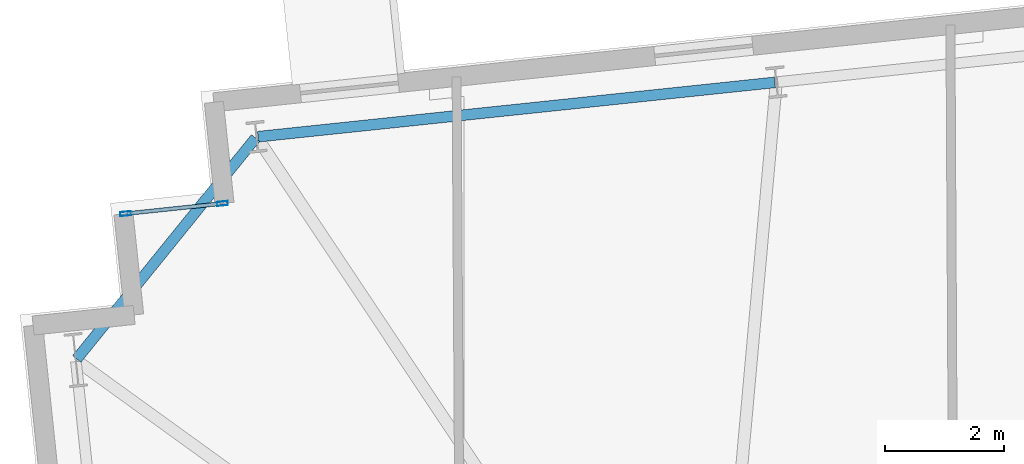
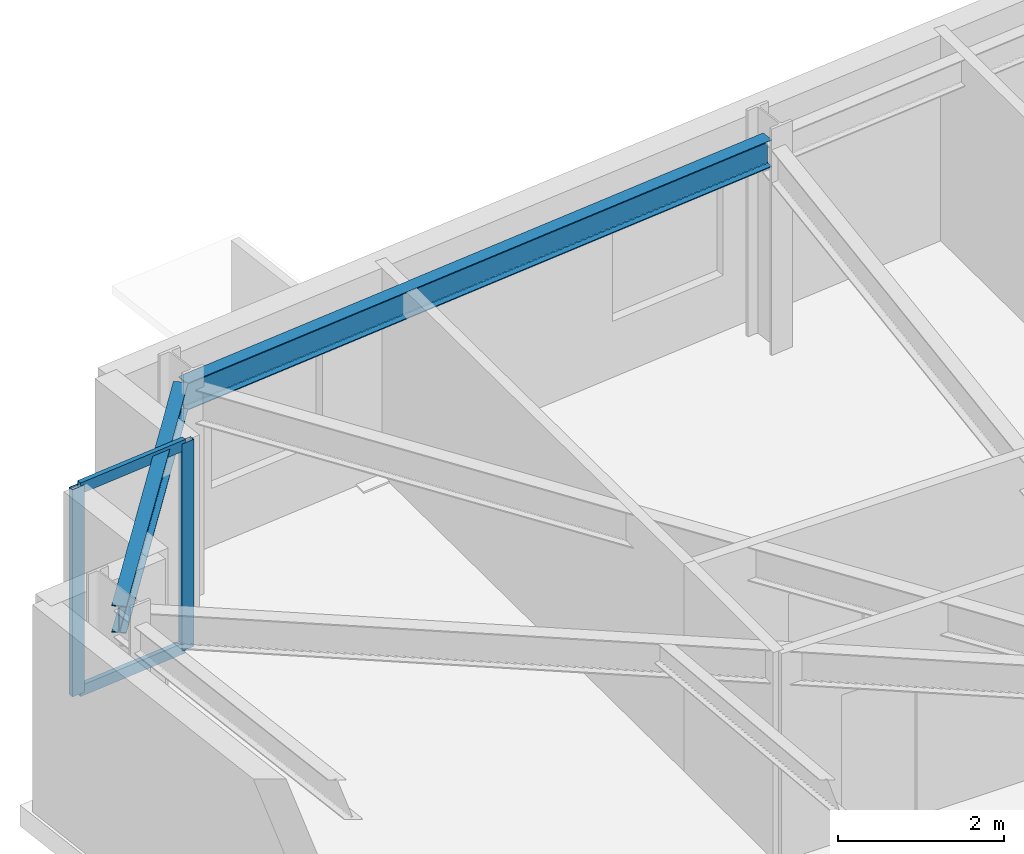
# One storey, part 8 of 19: 4 members, 2 beams, 1 element without a shape of its own.
"""IFC4 building model written with IfcOpenShell, lengths in metres."""

from ifc_helpers import new_model, si_unit, direction, frame, origin, origin_2d, place, context, subcontext, project, spatial, hollow_rectangle, i_section, extrude, material, layer, layer_set, material_profile, profile_set, type_object, element, aggregate, save


model = new_model("IFC4")

# Units and contexts
model_context = context("Model", 3, precision=1e-05, world=origin(), true_north=direction((0.0, 1.0)))
body_context = subcontext(model_context, "Body", "Model", "MODEL_VIEW")
ifc_project = project(units=[si_unit("LENGTHUNIT", "METRE"), si_unit("AREAUNIT", "SQUARE_METRE"), si_unit("VOLUMEUNIT", "CUBIC_METRE"), si_unit("PLANEANGLEUNIT", "RADIAN"), si_unit("MASSUNIT", "GRAM", prefix="KILO")], contexts=[model_context])

# Site, building, storey
site_placement = place(None, origin())
site = spatial("IfcSite", under=ifc_project, at=site_placement, CompositionType="ELEMENT")
building_placement = place(site_placement, origin())
building = spatial("IfcBuilding", under=site, at=building_placement, Name="Qobustan Lattice House", CompositionType="ELEMENT")
storey_placement = place(building_placement, frame((0.0, 0.0, 115.85009765625)))
storey = spatial("IfcBuildingStorey", under=building, at=storey_placement, Name="L32", CompositionType="ELEMENT", Elevation=115.85009765625)

# Beams
ifc_material_1 = material(Name="Steel S355", Category="steel")
ifc_material_profile_1 = material_profile(ifc_material_1, i_section(OverallWidth=0.179931640625, OverallDepth=0.39990234375, WebThickness=0.008544921875, FlangeThickness=0.013427734375, FilletRadius=0.02099609375, at=origin_2d()), Name="IPE400")
ifc_profile_set_1 = profile_set([ifc_material_profile_1], Name="Steel S355")
beam_type = type_object("IfcBeamType", Name="BM-SPD-IPE400", PredefinedType="SPANDREL", material=ifc_profile_set_1)
beam_1_placement = place(storey_placement, frame((-17.7158203125, 17.919189453125, 2.844970703125), z_axis=(-0.994521279781, -0.10453432002, 0.0), x_axis=(0.10453432002, -0.994521279781, 0.0)))
element("IfcBeam", 1, at=beam_1_placement, inside=storey, type_object=beam_type, Name="L32 perimeter spandrel N6-N7", PredefinedType="SPANDREL", context=body_context, shape_type="SweptSolid", body=[
    extrude(i_section(OverallWidth=0.179931640625, OverallDepth=0.39990234375, WebThickness=0.008544921875, FlangeThickness=0.013427734375, FilletRadius=0.02099609375, at=origin_2d()), origin(), (0.0, 0.0, 1.0), 8.69970703125),
])
beam_2_placement = place(storey_placement, frame((-26.40869140625, 16.98779296875, 2.844970703125), z_axis=(-0.629326627121, -0.777140911545, 0.0), x_axis=(0.777140911545, -0.629326627121, 0.0)))
element("IfcBeam", 2, at=beam_2_placement, inside=storey, type_object=beam_type, Name="L32 perimeter spandrel N7-W1", PredefinedType="SPANDREL", context=body_context, shape_type="SweptSolid", body=[
    extrude(i_section(OverallWidth=0.179931640625, OverallDepth=0.39990234375, WebThickness=0.008544921875, FlangeThickness=0.013427734375, FilletRadius=0.02099609375, at=origin_2d()), origin(), (0.0, 0.0, 1.0), 4.758544921875),
])

# Curtain wall, members
ifc_material_2 = material(Name="Anodised aluminium and low-E glazing", Category="aluminium")
ifc_layer = layer(ifc_material_2, 0.219970703125)
ifc_layer_set = layer_set([ifc_layer], Name="Anodised aluminium and low-E glazing")
curtain_wall_type = type_object("IfcCurtainWallType", Name="CW-FAC-01", PredefinedType="USERDEFINED", material=ifc_layer_set)
curtain_wall_placement = place(storey_placement, origin())
curtain_wall = element("IfcCurtainWall", 3, at=curtain_wall_placement, inside=storey, type_object=curtain_wall_type, Name="L32 serrated corner faceted glazing 8", ObjectType="CURTAIN WALL", PredefinedType="USERDEFINED")
ifc_material_3 = material(Name="Anodised aluminium EN AW-6063 T6", Category="aluminium")
ifc_material_profile_2 = material_profile(ifc_material_3, hollow_rectangle(XDim=0.070068359375, YDim=0.179931640625, WallThickness=0.00439453125, at=origin_2d()), Name="CWM-180x70")
ifc_profile_set_2 = profile_set([ifc_material_profile_2], Name="Anodised aluminium EN AW-6063 T6")
member_type_1 = type_object("IfcMemberType", Name="CWM-STD-180", PredefinedType="MULLION", material=ifc_profile_set_2)
member_1_placement = place(storey_placement, frame((-28.58544921875, 15.720947265625, 0.0), z_axis=(0.0, 0.0, 1.0), x_axis=(-0.104528620025, 0.994521878892, 0.0)))
member_1 = element("IfcMember", 4, at=member_1_placement, type_object=member_type_1, Name="CW-F1 mullion 1", PredefinedType="MULLION", context=body_context, shape_type="SweptSolid", body=[
    extrude(hollow_rectangle(XDim=0.070068359375, YDim=0.179931640625, WallThickness=0.00439453125, at=origin_2d()), origin(), (0.0, 0.0, 1.0), 3.044921875),
])
member_2_placement = place(storey_placement, frame((-26.96435546875, 15.891357421875, 0.0), z_axis=(0.0, 0.0, 1.0), x_axis=(-0.104528620025, 0.994521878892, 0.0)))
member_2 = element("IfcMember", 5, at=member_2_placement, type_object=member_type_1, Name="CW-F1 mullion 2", PredefinedType="MULLION", context=body_context, shape_type="SweptSolid", body=[
    extrude(hollow_rectangle(XDim=0.070068359375, YDim=0.179931640625, WallThickness=0.00439453125, at=origin_2d()), origin(), (0.0, 0.0, 1.0), 3.044921875),
])
ifc_material_4 = material(Name="Anodised aluminium EN AW-6063 T6", Category="aluminium")
ifc_material_profile_3 = material_profile(ifc_material_4, hollow_rectangle(XDim=0.06494140625, YDim=0.159912109375, WallThickness=0.00390625, at=origin_2d()), Name="CWT-160x65")
ifc_profile_set_3 = profile_set([ifc_material_profile_3], Name="Anodised aluminium EN AW-6063 T6")
member_type_2 = type_object("IfcMemberType", Name="CWT-HOR-160", PredefinedType="USERDEFINED", material=ifc_profile_set_3)
member_3_placement = place(storey_placement, frame((-28.55078125, 15.724609375, 0.032470703125), z_axis=(0.994520877159, 0.104538150424, 0.0), x_axis=(-0.104538150424, 0.994520877159, 0.0)))
member_3 = element("IfcMember", 6, at=member_3_placement, type_object=member_type_2, Name="CW-F1 transom 1.1", ObjectType="TRANSOM", PredefinedType="USERDEFINED", context=body_context, shape_type="SweptSolid", body=[
    extrude(hollow_rectangle(XDim=0.06494140625, YDim=0.159912109375, WallThickness=0.00390625, at=origin_2d()), origin(), (0.0, 0.0, 1.0), 1.56005859375),
])
member_4_placement = place(storey_placement, frame((-28.55078125, 15.724609375, 3.012451171875), z_axis=(0.994520877159, 0.104538150424, 0.0), x_axis=(-0.104538150424, 0.994520877159, 0.0)))
member_4 = element("IfcMember", 7, at=member_4_placement, type_object=member_type_2, Name="CW-F1 transom 1.2", ObjectType="TRANSOM", PredefinedType="USERDEFINED", context=body_context, shape_type="SweptSolid", body=[
    extrude(hollow_rectangle(XDim=0.06494140625, YDim=0.159912109375, WallThickness=0.00390625, at=origin_2d()), origin(), (0.0, 0.0, 1.0), 1.56005859375),
])
aggregate(curtain_wall, [member_1, member_2, member_3, member_4])

save(model, "model.ifc")
